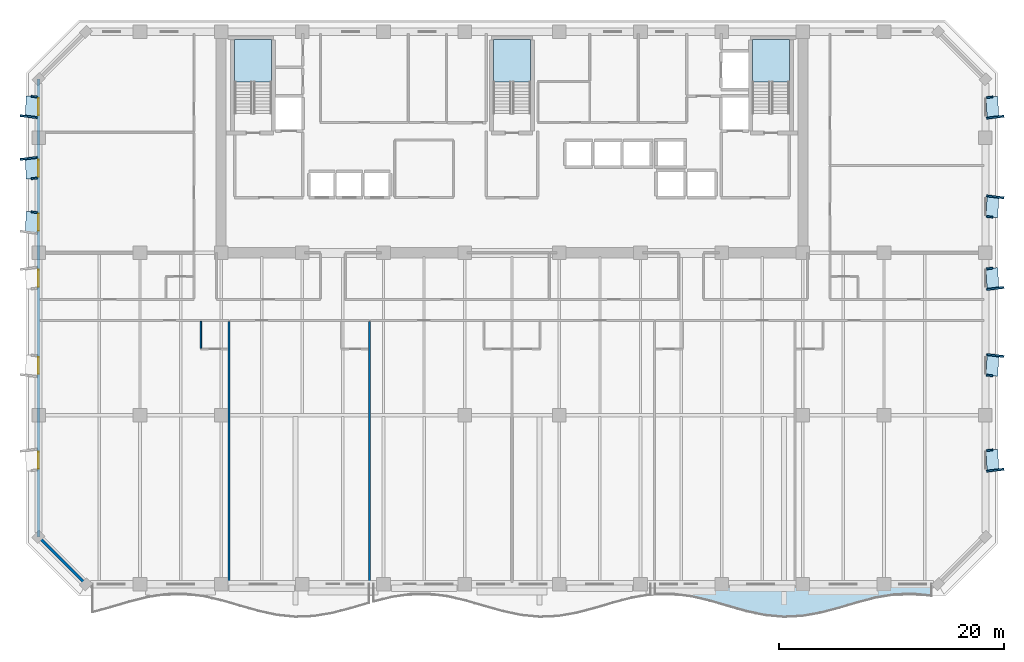
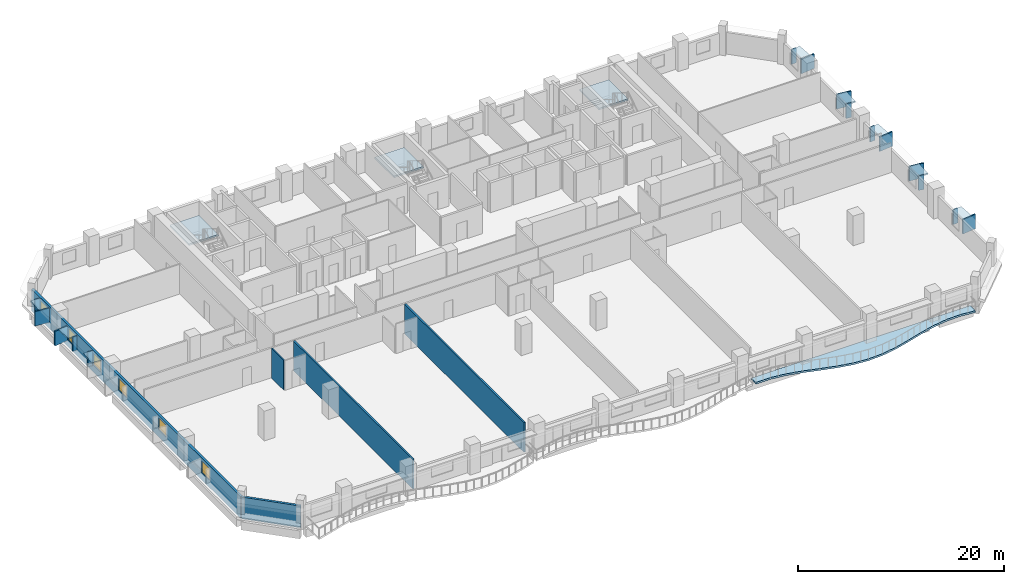
# One storey, part 3 of 15: 23 plates, 6 windows, 5 walls, 4 slabs, 6 openings, 3 elements without a shape of their own.
"""IFC4 building model written with IfcOpenShell, lengths in metres."""

from ifc_helpers import new_model, si_unit, direction, frame, frame_2d, origin, origin_2d, place, context, subcontext, project, spatial, polyline, rectangle, outline, extrude, material, layer, layer_set, type_object, element, fill, aggregate, save


model = new_model("IFC4")

# Units and contexts
model_context = context("Model", 3, precision=1e-05, world=origin(), true_north=direction((0.0, 1.0)))
body_context = subcontext(model_context, "Body", "Model", "MODEL_VIEW")
ifc_project = project(units=[si_unit("LENGTHUNIT", "METRE"), si_unit("AREAUNIT", "SQUARE_METRE"), si_unit("VOLUMEUNIT", "CUBIC_METRE"), si_unit("PLANEANGLEUNIT", "RADIAN"), si_unit("MASSUNIT", "GRAM", prefix="KILO")], contexts=[model_context])

# Site, building, storey
site_placement = place(None, origin())
site = spatial("IfcSite", under=ifc_project, at=site_placement, CompositionType="ELEMENT")
building_placement = place(site_placement, origin())
building = spatial("IfcBuilding", under=site, at=building_placement, Name="Kaelvorn Grand Hotel", CompositionType="ELEMENT")
storey_placement = place(building_placement, frame((0.0, 0.0, 111.800048828125)))
storey = spatial("IfcBuildingStorey", under=building, at=storey_placement, Name="L26", CompositionType="ELEMENT", Elevation=111.800048828125)

# Plates
ifc_material_1 = material(Name="Precast concrete C45/55", Category="concrete")
ifc_layer_1 = layer(ifc_material_1, 0.159912109375)
ifc_layer_set_1 = layer_set([ifc_layer_1], Name="Precast concrete C45/55")
plate_type_1 = type_object("IfcPlateType", Name="PL-FRAME-DEEP-1550", PredefinedType="USERDEFINED", material=ifc_layer_set_1)
for number, where, z_axis, x_axis, name in (
    (1, (84.864990234375, 10.110107421875, 0.68994140625), (0.0, 0.0, 1.0), (-0.121869343405, 0.992546151641, 0.0), "L26 Tilted Precast Window Frame Fin L-E01"),
    (2, (84.864990234375, 20.2900390625, 0.68994140625), (0.0, 0.0, 1.0), (0.121869343405, 0.992546151641, 0.0), "L26 Tilted Precast Window Frame Fin R-E02"),
    (3, (84.864990234375, 26.235107421875, 0.68994140625), (0.0, 0.0, 1.0), (-0.121869343405, 0.992546151641, 0.0), "L26 Tilted Precast Window Frame Fin L-E03"),
    (4, (84.864990234375, 34.364990234375, 0.68994140625), (0.0, 0.0, 1.0), (0.121869343405, 0.992546151641, 0.0), "L26 Tilted Precast Window Frame Fin R-E04"),
    (5, (84.864990234375, 41.425048828125, 0.68994140625), (0.0, 0.0, 1.0), (-0.121869343405, 0.992546151641, 0.0), "L26 Tilted Precast Window Frame Fin L-E05"),
    (6, (-0.864990234375, 37.77490234375, 0.68994140625), (0.0, 0.0, 1.0), (-0.121869343405, 0.992546151641, 0.0), "L26 Tilted Precast Window Frame Fin R-W05"),
    (7, (-0.864990234375, 41.47509765625, 0.68994140625), (0.0, 0.0, 1.0), (0.121869343405, 0.992546151641, 0.0), "L26 Tilted Precast Window Frame Fin L-W06"),
):
    element("IfcPlate", number, at=place(storey_placement, frame(where, z_axis=z_axis, x_axis=x_axis)), inside=storey, type_object=plate_type_1, Name=name, ObjectType="FLANGE_PLATE", PredefinedType="USERDEFINED", context=body_context, shape_type="SweptSolid", body=[
        extrude(rectangle(XDim=0.159912109375, YDim=1.550048828125, at=origin_2d()), origin(), (0.0, 0.0, 1.0), 1.719970703125),
    ])
ifc_layer_2 = layer(ifc_material_1, 0.159912109375)
ifc_layer_set_2 = layer_set([ifc_layer_2], Name="Precast concrete C45/55")
plate_type_2 = type_object("IfcPlateType", Name="PL-FRAME-HEAD-1050", PredefinedType="USERDEFINED", material=ifc_layer_set_2)
for number, where, z_axis, x_axis, name in (
    (8, (84.614990234375, 11.0, 2.25), (0.0, 0.0, 1.0), (-0.054950179912, 0.998489097451, 0.0), "L26 Precast Window Frame Head Hood H-E01"),
    (9, (84.614990234375, 19.39990234375, 2.25), (0.0, 0.0, 1.0), (0.054950179912, 0.998489097451, 0.0), "L26 Precast Window Frame Head Hood H-E02"),
    (10, (84.614990234375, 27.125, 2.25), (0.0, 0.0, 1.0), (-0.054950179912, 0.998489097451, 0.0), "L26 Precast Window Frame Head Hood H-E03"),
    (11, (84.614990234375, 33.47509765625, 2.25), (0.0, 0.0, 1.0), (0.054950179912, 0.998489097451, 0.0), "L26 Precast Window Frame Head Hood H-E04"),
    (12, (84.614990234375, 42.31494140625, 2.25), (0.0, 0.0, 1.0), (-0.054950179912, 0.998489097451, 0.0), "L26 Precast Window Frame Head Hood H-E05"),
    (13, (-0.614990234375, 32.114990234375, 2.25), (0.0, 0.0, 1.0), (0.054950179912, 0.998489097451, 0.0), "L26 Precast Window Frame Head Hood H-W04"),
    (14, (-0.614990234375, 36.885009765625, 2.25), (0.0, 0.0, 1.0), (-0.054950179912, 0.998489097451, 0.0), "L26 Precast Window Frame Head Hood H-W05"),
    (15, (-0.614990234375, 42.364990234375, 2.25), (0.0, 0.0, 1.0), (0.054950179912, 0.998489097451, 0.0), "L26 Precast Window Frame Head Hood H-W06"),
):
    element("IfcPlate", number, at=place(storey_placement, frame(where, z_axis=z_axis, x_axis=x_axis)), inside=storey, type_object=plate_type_2, Name=name, ObjectType="FLANGE_PLATE", PredefinedType="USERDEFINED", context=body_context, shape_type="SweptSolid", body=[
        extrude(rectangle(XDim=1.860107421875, YDim=1.050048828125, at=origin_2d()), origin(), (0.0, 0.0, 1.0), 0.159912109375),
    ])
ifc_layer_3 = layer(ifc_material_1, 0.159912109375)
ifc_layer_set_3 = layer_set([ifc_layer_3], Name="Precast concrete C45/55")
plate_type_3 = type_object("IfcPlateType", Name="PL-FRAME-SHAL-550", PredefinedType="USERDEFINED", material=ifc_layer_set_3)
for number, where, z_axis, x_axis, name in (
    (16, (84.364990234375, 11.889892578125, 0.68994140625), (0.0, 0.0, 1.0), (-0.121869343405, 0.992546151641, 0.0), "L26 Tilted Precast Window Frame Fin R-E01"),
    (17, (84.364990234375, 18.510009765625, 0.68994140625), (0.0, 0.0, 1.0), (0.121869343405, 0.992546151641, 0.0), "L26 Tilted Precast Window Frame Fin L-E02"),
    (18, (84.364990234375, 28.014892578125, 0.68994140625), (0.0, 0.0, 1.0), (-0.121869343405, 0.992546151641, 0.0), "L26 Tilted Precast Window Frame Fin R-E03"),
    (19, (84.364990234375, 32.5849609375, 0.68994140625), (0.0, 0.0, 1.0), (0.121869343405, 0.992546151641, 0.0), "L26 Tilted Precast Window Frame Fin L-E04"),
    (20, (84.364990234375, 43.205078125, 0.68994140625), (0.0, 0.0, 1.0), (-0.121869343405, 0.992546151641, 0.0), "L26 Tilted Precast Window Frame Fin R-E05"),
    (21, (-0.364990234375, 33.0048828125, 0.68994140625), (0.0, 0.0, 1.0), (0.121869343405, 0.992546151641, 0.0), "L26 Tilted Precast Window Frame Fin R-W04"),
    (22, (-0.364990234375, 35.9951171875, 0.68994140625), (0.0, 0.0, 1.0), (-0.121869343405, 0.992546151641, 0.0), "L26 Tilted Precast Window Frame Fin L-W05"),
    (23, (-0.364990234375, 43.2548828125, 0.68994140625), (0.0, 0.0, 1.0), (0.121869343405, 0.992546151641, 0.0), "L26 Tilted Precast Window Frame Fin R-W06"),
):
    element("IfcPlate", number, at=place(storey_placement, frame(where, z_axis=z_axis, x_axis=x_axis)), inside=storey, type_object=plate_type_3, Name=name, ObjectType="FLANGE_PLATE", PredefinedType="USERDEFINED", context=body_context, shape_type="SweptSolid", body=[
        extrude(rectangle(XDim=0.159912109375, YDim=0.550048828125, at=origin_2d()), origin(), (0.0, 0.0, 1.0), 1.719970703125),
    ])

# Slab
ifc_material_2 = material(Name="Concrete C40/50", Category="concrete")
ifc_layer_4 = layer(ifc_material_2, 0.219970703125)
ifc_layer_set_4 = layer_set([ifc_layer_4], Name="Concrete C40/50")
slab_type_1 = type_object("IfcSlabType", Name="SLB-BALC-220-C40", PredefinedType="FLOOR", material=ifc_layer_set_4)
slab_1_placement = place(storey_placement, frame((0.0, 0.0, -0.219970703125)))
element("IfcSlab", 24, at=slab_1_placement, inside=storey, type_object=slab_type_1, Name="L26 Scalloped Wave Balcony Slab 3", PredefinedType="FLOOR", context=body_context, shape_type="SweptSolid", body=[
    extrude(outline(polyline([(54.666748046875, -0.884521484375), (56.30224609375, -0.873779296875), (57.937744140625, -1.08544921875), (59.5732421875, -1.47265625), (61.208984375, -1.94921875), (62.844482421875, -2.4091796875), (64.47998046875, -2.75048828125), (66.115478515625, -2.8974609375), (67.751220703125, -2.817138671875), (69.38671875, -2.52783203125), (71.022216796875, -2.09326171875), (72.65771484375, -1.6103515625), (74.293212890625, -1.186279296875), (75.928955078125, -0.9150390625), (77.564453125, -0.857177734375), (79.199951171875, -1.025146484375), (79.199951171875, 0.0), (54.666748046875, 0.0), (54.666748046875, -0.884521484375)])), origin(), (0.0, 0.0, 1.0), 0.219970703125),
])

# Stair, slab
stair_type = type_object("IfcStairType", Name="STR-DOG-1560-R06", PredefinedType="HALF_TURN_STAIR", material=ifc_material_2)
stair_1_placement = place(storey_placement, origin())
stair_1 = element("IfcStair", 25, at=stair_1_placement, inside=storey, type_object=stair_type, Name="L26 West Core Exit Stair ST1", PredefinedType="HALF_TURN_STAIR")
ifc_layer_5 = layer(ifc_material_2, 0.199951171875)
ifc_layer_set_5 = layer_set([ifc_layer_5], Name="Concrete C40/50")
slab_type_2 = type_object("IfcSlabType", Name="SLB-LAND-200-C40", PredefinedType="LANDING", material=ifc_layer_set_5)
slab_2_placement = place(storey_placement, frame((0.0, 0.0, 1.675048828125)))
slab_2 = element("IfcSlab", 26, at=slab_2_placement, type_object=slab_type_2, Name="ST1 landing 1", PredefinedType="LANDING", context=body_context, shape_type="SweptSolid", body=[
    extrude(outline(polyline([(20.679931640625, 44.56005859375), (20.679931640625, 48.300048828125), (17.39990234375, 48.300048828125), (17.39990234375, 44.56005859375), (20.679931640625, 44.56005859375)])), origin(), (0.0, 0.0, 1.0), 0.199951171875),
])
aggregate(stair_1, [slab_2])

stair_2_placement = place(storey_placement, origin())
stair_2 = element("IfcStair", 27, at=stair_2_placement, inside=storey, type_object=stair_type, Name="L26 Central Core Exit Stair ST2", PredefinedType="HALF_TURN_STAIR")
slab_3_placement = place(storey_placement, frame((0.0, 0.0, 1.675048828125)))
slab_3 = element("IfcSlab", 28, at=slab_3_placement, type_object=slab_type_2, Name="ST2 landing 1", PredefinedType="LANDING", context=body_context, shape_type="SweptSolid", body=[
    extrude(outline(polyline([(43.639892578125, 44.56005859375), (43.639892578125, 48.300048828125), (40.360107421875, 48.300048828125), (40.360107421875, 44.56005859375), (43.639892578125, 44.56005859375)])), origin(), (0.0, 0.0, 1.0), 0.199951171875),
])
aggregate(stair_2, [slab_3])

stair_3_placement = place(storey_placement, origin())
stair_3 = element("IfcStair", 29, at=stair_3_placement, inside=storey, type_object=stair_type, Name="L26 East Core Exit Stair ST3", PredefinedType="HALF_TURN_STAIR")
slab_4_placement = place(storey_placement, frame((0.0, 0.0, 1.675048828125)))
slab_4 = element("IfcSlab", 30, at=slab_4_placement, type_object=slab_type_2, Name="ST3 landing 1", PredefinedType="LANDING", context=body_context, shape_type="SweptSolid", body=[
    extrude(outline(polyline([(66.60009765625, 44.56005859375), (66.60009765625, 48.300048828125), (63.320068359375, 48.300048828125), (63.320068359375, 44.56005859375), (66.60009765625, 44.56005859375)])), origin(), (0.0, 0.0, 1.0), 0.199951171875),
])
aggregate(stair_3, [slab_4])

# Wall, openings, windows
ifc_layer_6 = layer(ifc_material_2, 0.260009765625)
ifc_layer_set_6 = layer_set([ifc_layer_6], Name="Concrete C40/50")
wall_type_1 = type_object("IfcWallType", Name="WL-EXT-260-C40", PredefinedType="SOLIDWALL", material=ifc_layer_set_6)
wall_1_placement = place(storey_placement, frame((0.0, 44.800048828125, 0.0), z_axis=(0.0, 0.0, 1.0), x_axis=(0.0, -1.0, 0.0)))
wall_1 = element("IfcWall", 31, at=wall_1_placement, inside=storey, type_object=wall_type_1, Name="L26 Exterior Architectural Concrete Wall 07", PredefinedType="SOLIDWALL", context=body_context, shape_type="SweptSolid", body=[
    extrude(rectangle(XDim=40.60009765625, YDim=0.260009765625, at=frame_2d((20.300048828125, 0.0))), origin(), (0.0, 0.0, 1.0), 2.56005859375),
])
opening_1_placement = place(wall_1_placement, frame((33.050048828125, 0.0, 0.85009765625)))
opening_1 = element("IfcOpeningElement", 32, at=opening_1_placement, cuts=wall_1, Name="Opening W10", PredefinedType="OPENING", context=body_context, shape_type="SweptSolid", body=[
    extrude(rectangle(XDim=1.5, YDim=1.39990234375, at=frame_2d((0.75, 0.699951171875))), frame((0.0, 0.14013671875, 0.0), z_axis=(0.0, -1.0, 0.0), x_axis=(1.0, 0.0, 0.0)), (0.0, 0.0, 1.0), 0.280029296875),
])
opening_2_placement = place(wall_1_placement, frame((24.64990234375, 0.0, 0.85009765625)))
opening_2 = element("IfcOpeningElement", 33, at=opening_2_placement, cuts=wall_1, Name="Opening W10", PredefinedType="OPENING", context=body_context, shape_type="SweptSolid", body=[
    extrude(rectangle(XDim=1.5, YDim=1.39990234375, at=frame_2d((0.75, 0.699951171875))), frame((0.0, 0.14013671875, 0.0), z_axis=(0.0, -1.0, 0.0), x_axis=(1.0, 0.0, 0.0)), (0.0, 0.0, 1.0), 0.280029296875),
])
opening_3_placement = place(wall_1_placement, frame((16.925048828125, 0.0, 0.85009765625)))
opening_3 = element("IfcOpeningElement", 34, at=opening_3_placement, cuts=wall_1, Name="Opening W10", PredefinedType="OPENING", context=body_context, shape_type="SweptSolid", body=[
    extrude(rectangle(XDim=1.5, YDim=1.39990234375, at=frame_2d((0.75, 0.699951171875))), frame((0.0, 0.14013671875, 0.0), z_axis=(0.0, -1.0, 0.0), x_axis=(1.0, 0.0, 0.0)), (0.0, 0.0, 1.0), 0.280029296875),
])
opening_4_placement = place(wall_1_placement, frame((11.93505859375, 0.0, 0.85009765625)))
opening_4 = element("IfcOpeningElement", 35, at=opening_4_placement, cuts=wall_1, Name="Opening W10", PredefinedType="OPENING", context=body_context, shape_type="SweptSolid", body=[
    extrude(rectangle(XDim=1.5, YDim=1.39990234375, at=frame_2d((0.75, 0.699951171875))), frame((0.0, 0.14013671875, 0.0), z_axis=(0.0, -1.0, 0.0), x_axis=(1.0, 0.0, 0.0)), (0.0, 0.0, 1.0), 0.280029296875),
])
opening_5_placement = place(wall_1_placement, frame((7.1650390625, 0.0, 0.85009765625)))
opening_5 = element("IfcOpeningElement", 36, at=opening_5_placement, cuts=wall_1, Name="Opening W10", PredefinedType="OPENING", context=body_context, shape_type="SweptSolid", body=[
    extrude(rectangle(XDim=1.5, YDim=1.39990234375, at=frame_2d((0.75, 0.699951171875))), frame((0.0, 0.14013671875, 0.0), z_axis=(0.0, -1.0, 0.0), x_axis=(1.0, 0.0, 0.0)), (0.0, 0.0, 1.0), 0.280029296875),
])
opening_6_placement = place(wall_1_placement, frame((1.68505859375, 0.0, 0.85009765625)))
opening_6 = element("IfcOpeningElement", 37, at=opening_6_placement, cuts=wall_1, Name="Opening W10", PredefinedType="OPENING", context=body_context, shape_type="SweptSolid", body=[
    extrude(rectangle(XDim=1.5, YDim=1.39990234375, at=frame_2d((0.75, 0.699951171875))), frame((0.0, 0.14013671875, 0.0), z_axis=(0.0, -1.0, 0.0), x_axis=(1.0, 0.0, 0.0)), (0.0, 0.0, 1.0), 0.280029296875),
])
ifc_material_3 = material(Name="Laminated Low-E Glass", Category="glass")
window_type = type_object("IfcWindowType", Name="WIN-COR-1500x1400", PartitioningType="SINGLE_PANEL", PredefinedType="WINDOW", material=ifc_material_3)
window_1_placement = place(opening_1_placement, origin())
window_1 = element("IfcWindow", 38, at=window_1_placement, inside=storey, type_object=window_type, Name="L26 W Wing Tilted-Frame Ribbon Window W01", OverallHeight=1.39990234375, OverallWidth=1.5, PartitioningType="SINGLE_PANEL", PredefinedType="WINDOW", context=body_context, shape_type="SweptSolid", body=[
    extrude(rectangle(XDim=1.5, YDim=1.39990234375, at=frame_2d((0.75, 0.699951171875))), frame((0.0, 0.030029296875, 0.0), z_axis=(0.0, -1.0, 0.0), x_axis=(1.0, 0.0, 0.0)), (0.0, 0.0, 1.0), 0.06005859375),
])
fill(opening_1, window_1)
window_2_placement = place(opening_2_placement, origin())
window_2 = element("IfcWindow", 39, at=window_2_placement, inside=storey, type_object=window_type, Name="L26 W Wing Tilted-Frame Ribbon Window W02", OverallHeight=1.39990234375, OverallWidth=1.5, PartitioningType="SINGLE_PANEL", PredefinedType="WINDOW", context=body_context, shape_type="SweptSolid", body=[
    extrude(rectangle(XDim=1.5, YDim=1.39990234375, at=frame_2d((0.75, 0.699951171875))), frame((0.0, 0.030029296875, 0.0), z_axis=(0.0, -1.0, 0.0), x_axis=(1.0, 0.0, 0.0)), (0.0, 0.0, 1.0), 0.06005859375),
])
fill(opening_2, window_2)
window_3_placement = place(opening_3_placement, origin())
window_3 = element("IfcWindow", 40, at=window_3_placement, inside=storey, type_object=window_type, Name="L26 W Wing Tilted-Frame Ribbon Window W03", OverallHeight=1.39990234375, OverallWidth=1.5, PartitioningType="SINGLE_PANEL", PredefinedType="WINDOW", context=body_context, shape_type="SweptSolid", body=[
    extrude(rectangle(XDim=1.5, YDim=1.39990234375, at=frame_2d((0.75, 0.699951171875))), frame((0.0, 0.030029296875, 0.0), z_axis=(0.0, -1.0, 0.0), x_axis=(1.0, 0.0, 0.0)), (0.0, 0.0, 1.0), 0.06005859375),
])
fill(opening_3, window_3)
window_4_placement = place(opening_4_placement, origin())
window_4 = element("IfcWindow", 41, at=window_4_placement, inside=storey, type_object=window_type, Name="L26 W Wing Tilted-Frame Ribbon Window W04", OverallHeight=1.39990234375, OverallWidth=1.5, PartitioningType="SINGLE_PANEL", PredefinedType="WINDOW", context=body_context, shape_type="SweptSolid", body=[
    extrude(rectangle(XDim=1.5, YDim=1.39990234375, at=frame_2d((0.75, 0.699951171875))), frame((0.0, 0.030029296875, 0.0), z_axis=(0.0, -1.0, 0.0), x_axis=(1.0, 0.0, 0.0)), (0.0, 0.0, 1.0), 0.06005859375),
])
fill(opening_4, window_4)
window_5_placement = place(opening_5_placement, origin())
window_5 = element("IfcWindow", 42, at=window_5_placement, inside=storey, type_object=window_type, Name="L26 W Wing Tilted-Frame Ribbon Window W05", OverallHeight=1.39990234375, OverallWidth=1.5, PartitioningType="SINGLE_PANEL", PredefinedType="WINDOW", context=body_context, shape_type="SweptSolid", body=[
    extrude(rectangle(XDim=1.5, YDim=1.39990234375, at=frame_2d((0.75, 0.699951171875))), frame((0.0, 0.030029296875, 0.0), z_axis=(0.0, -1.0, 0.0), x_axis=(1.0, 0.0, 0.0)), (0.0, 0.0, 1.0), 0.06005859375),
])
fill(opening_5, window_5)
window_6_placement = place(opening_6_placement, origin())
window_6 = element("IfcWindow", 43, at=window_6_placement, inside=storey, type_object=window_type, Name="L26 W Wing Tilted-Frame Ribbon Window W06", OverallHeight=1.39990234375, OverallWidth=1.5, PartitioningType="SINGLE_PANEL", PredefinedType="WINDOW", context=body_context, shape_type="SweptSolid", body=[
    extrude(rectangle(XDim=1.5, YDim=1.39990234375, at=frame_2d((0.75, 0.699951171875))), frame((0.0, 0.030029296875, 0.0), z_axis=(0.0, -1.0, 0.0), x_axis=(1.0, 0.0, 0.0)), (0.0, 0.0, 1.0), 0.06005859375),
])
fill(opening_6, window_6)

# Walls
wall_2_placement = place(storey_placement, frame((0.0, 4.199951171875, 0.0), z_axis=(0.0, 0.0, 1.0), x_axis=(0.707106781187, -0.707106781187, 0.0)))
element("IfcWall", 44, at=wall_2_placement, inside=storey, type_object=wall_type_1, Name="L26 Exterior Architectural Concrete Wall 08", PredefinedType="SOLIDWALL", context=body_context, shape_type="SweptSolid", body=[
    extrude(rectangle(XDim=5.939697265625, YDim=0.260009765625, at=frame_2d((2.9697265625, 0.0))), origin(), (0.0, 0.0, 1.0), 2.56005859375),
])
ifc_material_4 = material(Name="Moisture-Resistant Tile & Stud Board")
ifc_layer_7 = layer(ifc_material_4, 0.125)
ifc_layer_set_7 = layer_set([ifc_layer_7], Name="Moisture-Resistant Tile & Stud Board")
wall_type_2 = type_object("IfcWallType", Name="WL-PART-125-WET", PredefinedType="PARTITIONING", material=ifc_layer_set_7)
wall_3_placement = place(storey_placement, frame((14.399658203125, 20.91748046875, 0.0), z_axis=(0.0, 0.0, 1.0), x_axis=(0.0, 1.0, 0.0)))
element("IfcWall", 45, at=wall_3_placement, inside=storey, type_object=wall_type_2, Name="L26 En-suite Bathroom L26-01 W Partition", PredefinedType="PARTITIONING", context=body_context, shape_type="SweptSolid", body=[
    extrude(rectangle(XDim=2.387451171875, YDim=0.125, at=frame_2d((1.19384765625, 0.0))), origin(), (0.0, 0.0, 1.0), 3.510009765625),
])
ifc_material_5 = material(Name="Acoustic Gypsum & Stud Partition")
ifc_layer_8 = layer(ifc_material_5, 0.179931640625)
ifc_layer_set_8 = layer_set([ifc_layer_8], Name="Acoustic Gypsum & Stud Partition")
wall_type_3 = type_object("IfcWallType", Name="WL-PART-180-EI60", PredefinedType="PARTITIONING", material=ifc_layer_set_8)
for number, where, z_axis, x_axis, name in (
    (46, (16.899658203125, 0.14990234375, 0.0), (0.0, 0.0, 1.0), (0.0, 1.0, 0.0), "L26 Presidential Sky Suite L26-01 E Partition"),
    (47, (29.349609375, 0.14990234375, 0.0), (0.0, 0.0, 1.0), (0.0, 1.0, 0.0), "L26 Presidential Sky Suite L26-02 E Partition"),
):
    element("IfcWall", number, at=place(storey_placement, frame(where, z_axis=z_axis, x_axis=x_axis)), inside=storey, type_object=wall_type_3, Name=name, PredefinedType="PARTITIONING", context=body_context, shape_type="SweptSolid", body=[
        extrude(rectangle(XDim=23.155029296875, YDim=0.179931640625, at=frame_2d((11.57763671875, 0.0))), origin(), (0.0, 0.0, 1.0), 3.510009765625),
    ])

save(model, "model.ifc")
